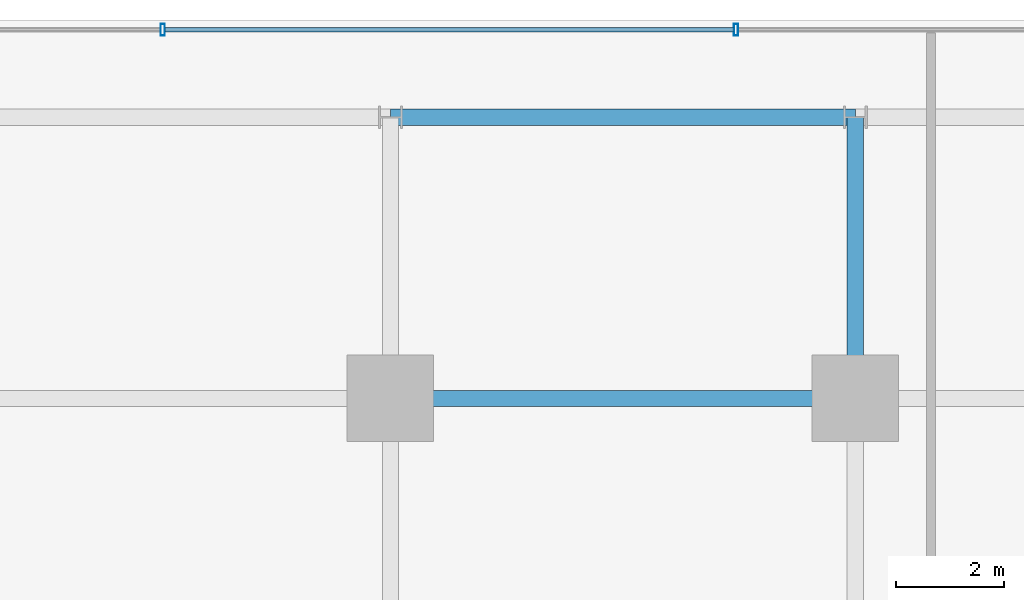
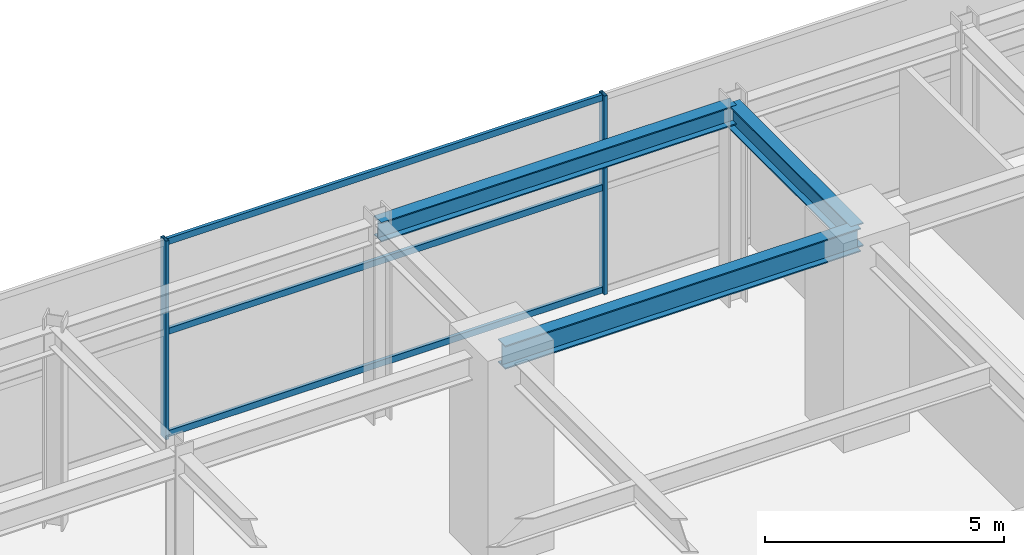
# One storey, part 16 of 32: 5 members, 3 beams, 1 element without a shape of its own.
"""IFC4 building model written with IfcOpenShell, lengths in metres."""

from ifc_helpers import new_model, si_unit, direction, frame, origin, origin_2d, place, context, subcontext, project, spatial, hollow_rectangle, i_section, extrude, source, transform, mapped, material, material_profile, profile_set, type_object, element, aggregate, save


model = new_model("IFC4")

# Units and contexts
model_context = context("Model", 3, precision=1e-05, world=origin(), true_north=direction((0.0, 1.0)))
body_context = subcontext(model_context, "Body", "Model", "MODEL_VIEW")
ifc_project = project(units=[si_unit("LENGTHUNIT", "METRE"), si_unit("AREAUNIT", "SQUARE_METRE"), si_unit("VOLUMEUNIT", "CUBIC_METRE"), si_unit("PLANEANGLEUNIT", "RADIAN"), si_unit("MASSUNIT", "GRAM", prefix="KILO")], contexts=[model_context])

# Site, building, storey
site_placement = place(None, origin())
site = spatial("IfcSite", under=ifc_project, at=site_placement, CompositionType="ELEMENT")
building_placement = place(site_placement, origin())
building = spatial("IfcBuilding", under=site, at=building_placement, Name="Nahalor Promenade Grand Hotel", CompositionType="ELEMENT")
storey_placement = place(building_placement, frame((0.0, 0.0, 5.39990234375)))
storey = spatial("IfcBuildingStorey", under=building, at=storey_placement, Name="L01", CompositionType="ELEMENT", Elevation=5.39990234375)

# Beams
ifc_material_1 = material(Name="Steel S355JR", Category="steel")
ifc_material_profile_1 = material_profile(ifc_material_1, i_section(OverallWidth=0.3, OverallDepth=0.6, WebThickness=0.0155, FlangeThickness=0.03, at=origin_2d()), Name="HEB 600")
ifc_profile_set_1 = profile_set([ifc_material_profile_1], Name="Steel S355JR")
beam_type_1 = type_object("IfcBeamType", Name="Beam-Girder-HEB600", PredefinedType="BEAM", material=ifc_profile_set_1)
shared_shape_1 = source(origin(), body_context, "Body", "SweptSolid", [
    extrude(i_section(OverallWidth=0.3, OverallDepth=0.6, WebThickness=0.0155, FlangeThickness=0.03, at=origin_2d()), origin(), (0.0, 0.0, 1.0), 8.60009765625),
])
beam_1_placement = place(storey_placement, frame((-17.0, 17.0, 4.780029296875), z_axis=(1.0, 0.0, 0.0), x_axis=(0.0, 1.0, 0.0)))
element("IfcBeam", 1, at=beam_1_placement, inside=storey, type_object=beam_type_1, Name="BM-L01-GX-3-2", PredefinedType="BEAM", context=body_context, shape_type="MappedRepresentation", body=[
    mapped(shared_shape_1, transform((0.0, 0.0, 0.0), scale=1.0)),
])
shared_shape_2 = source(origin(), body_context, "Body", "SweptSolid", [
    extrude(i_section(OverallWidth=0.3, OverallDepth=0.6, WebThickness=0.0155, FlangeThickness=0.03, at=origin_2d()), origin(), (0.0, 0.0, 1.0), 5.199951171875),
])
beam_2_placement = place(storey_placement, frame((-8.39990234375, 17.0, 4.780029296875), z_axis=(0.0, 1.0, 0.0), x_axis=(-1.0, 0.0, 0.0)))
element("IfcBeam", 2, at=beam_2_placement, inside=storey, type_object=beam_type_1, Name="BM-L01-GY-1-4", PredefinedType="BEAM", context=body_context, shape_type="MappedRepresentation", body=[
    mapped(shared_shape_2, transform((0.0, 0.0, 0.0), scale=1.0)),
])
ifc_material_profile_2 = material_profile(ifc_material_1, i_section(OverallWidth=0.3, OverallDepth=0.5, WebThickness=0.0145, FlangeThickness=0.028, at=origin_2d()), Name="HEB 500")
ifc_profile_set_2 = profile_set([ifc_material_profile_2], Name="Steel S355JR")
beam_type_2 = type_object("IfcBeamType", Name="Beam-Spandrel-HEB500", PredefinedType="SPANDREL", material=ifc_profile_set_2)
shared_shape_3 = source(origin(), body_context, "Body", "SweptSolid", [
    extrude(i_section(OverallWidth=0.3, OverallDepth=0.5, WebThickness=0.0145, FlangeThickness=0.028, at=origin_2d()), origin(), (0.0, 0.0, 1.0), 8.60009765625),
])
beam_3_placement = place(storey_placement, frame((-17.0, 22.199951171875, 4.830078125), z_axis=(1.0, 0.0, 0.0), x_axis=(0.0, 1.0, 0.0)))
element("IfcBeam", 3, at=beam_3_placement, inside=storey, type_object=beam_type_2, Name="BM-L01-SP-N-0", PredefinedType="SPANDREL", context=body_context, shape_type="MappedRepresentation", body=[
    mapped(shared_shape_3, transform((0.0, 0.0, 0.0), scale=1.0)),
])

# Curtain wall, members
ifc_material_2 = material(Name="Anodised Bronze Aluminium EN AW-6063 T6", Category="aluminium")
curtain_wall_type = type_object("IfcCurtainWallType", Name="CW1 Waterfront Podium Bronze Arcade Curtain Wall", PredefinedType="USERDEFINED", material=ifc_material_2)
curtain_wall_placement = place(storey_placement, origin())
curtain_wall = element("IfcCurtainWall", 4, at=curtain_wall_placement, inside=storey, type_object=curtain_wall_type, Name="L01 Curtain Wall CW-L01-N", ObjectType="UNITISED_CURTAIN_WALL", PredefinedType="USERDEFINED")
ifc_material_profile_3 = material_profile(ifc_material_2, hollow_rectangle(XDim=0.08, YDim=0.22, WallThickness=0.005, at=origin_2d()), Name="CWM 80x220x5")
ifc_profile_set_3 = profile_set([ifc_material_profile_3], Name="Anodised Bronze Aluminium EN AW-6063 T6")
member_type_1 = type_object("IfcMemberType", Name="CWM1 Podium Bronze Mullion 80x220", PredefinedType="MULLION", material=ifc_profile_set_3)
shared_shape_4 = source(origin(), body_context, "Body", "SweptSolid", [
    extrude(hollow_rectangle(XDim=0.08, YDim=0.22, WallThickness=0.005, at=origin_2d()), origin(), (0.0, 0.0, 1.0), 5.080078125),
])
member_1_placement = place(storey_placement, frame((-21.21337890625, 23.820068359375, 0.0), z_axis=(0.0, 0.0, 1.0), x_axis=(1.0, 0.0, 0.0)))
member_1 = element("IfcMember", 5, at=member_1_placement, type_object=member_type_1, Name="CW-L01-N Mullion 1", PredefinedType="MULLION", context=body_context, shape_type="MappedRepresentation", body=[
    mapped(shared_shape_4, transform((0.0, 0.0, 0.0), scale=1.0)),
])
member_2_placement = place(storey_placement, frame((-10.606689453125, 23.820068359375, 0.0), z_axis=(0.0, 0.0, 1.0), x_axis=(1.0, 0.0, 0.0)))
member_2 = element("IfcMember", 6, at=member_2_placement, type_object=member_type_1, Name="CW-L01-N Mullion 2", PredefinedType="MULLION", context=body_context, shape_type="MappedRepresentation", body=[
    mapped(shared_shape_4, transform((0.0, 0.0, 0.0), scale=1.0)),
])
ifc_material_profile_4 = material_profile(ifc_material_2, hollow_rectangle(XDim=0.08, YDim=0.16, WallThickness=0.004, at=origin_2d()), Name="CWT 80x160x4")
ifc_profile_set_4 = profile_set([ifc_material_profile_4], Name="Anodised Bronze Aluminium EN AW-6063 T6")
member_type_2 = type_object("IfcMemberType", Name="CWT1 Podium Bronze Transom 80x160", PredefinedType="USERDEFINED", material=ifc_profile_set_4)
shared_shape_5 = source(origin(), body_context, "Body", "SweptSolid", [
    extrude(hollow_rectangle(XDim=0.08, YDim=0.16, WallThickness=0.004, at=origin_2d()), origin(), (0.0, 0.0, 1.0), 10.526611328125),
])
member_3_placement = place(storey_placement, frame((-21.17333984375, 23.820068359375, 0.080078125), z_axis=(1.0, 0.0, 0.0), x_axis=(0.0, 1.0, 0.0)))
member_3 = element("IfcMember", 7, at=member_3_placement, type_object=member_type_2, Name="CW-L01-N Transom 1-0", ObjectType="TRANSOM", PredefinedType="USERDEFINED", context=body_context, shape_type="MappedRepresentation", body=[
    mapped(shared_shape_5, transform((0.0, 0.0, 0.0), scale=1.0)),
])
member_4_placement = place(storey_placement, frame((-21.17333984375, 23.820068359375, 2.7001953125), z_axis=(1.0, 0.0, 0.0), x_axis=(0.0, 1.0, 0.0)))
member_4 = element("IfcMember", 8, at=member_4_placement, type_object=member_type_2, Name="CW-L01-N Transom 1-1", ObjectType="TRANSOM", PredefinedType="USERDEFINED", context=body_context, shape_type="MappedRepresentation", body=[
    mapped(shared_shape_5, transform((0.0, 0.0, 0.0), scale=1.0)),
])
member_5_placement = place(storey_placement, frame((-21.17333984375, 23.820068359375, 5.0), z_axis=(1.0, 0.0, 0.0), x_axis=(0.0, 1.0, 0.0)))
member_5 = element("IfcMember", 9, at=member_5_placement, type_object=member_type_2, Name="CW-L01-N Transom 1-2", ObjectType="TRANSOM", PredefinedType="USERDEFINED", context=body_context, shape_type="MappedRepresentation", body=[
    mapped(shared_shape_5, transform((0.0, 0.0, 0.0), scale=1.0)),
])
aggregate(curtain_wall, [member_1, member_2, member_3, member_4, member_5])

save(model, "model.ifc")
